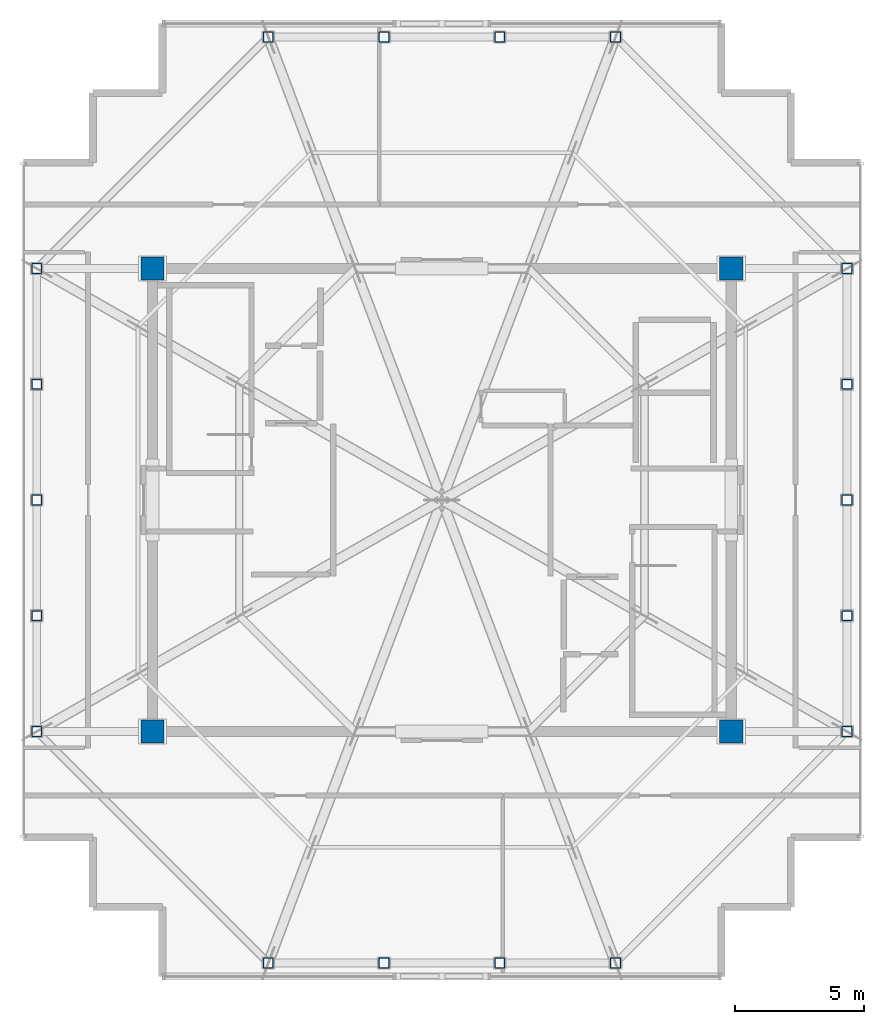
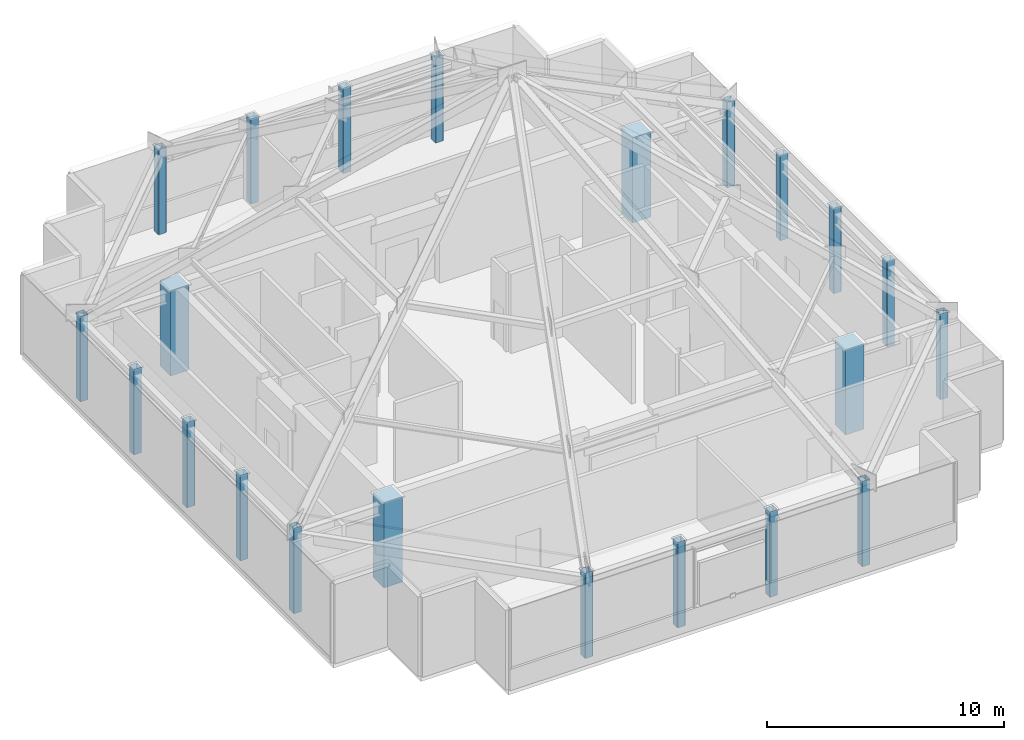
# One storey, part 1 of 17: 22 columns.
"""IFC4 building model written with IfcOpenShell, lengths in metres."""

from ifc_helpers import new_model, si_unit, direction, frame, origin, origin_2d, place, context, subcontext, project, spatial, rectangle, hollow_rectangle, extrude, source, transform, mapped, material, material_profile, profile_set, type_object, element, save


model = new_model("IFC4")

# Units and contexts
model_context = context("Model", 3, precision=1e-05, world=origin(), true_north=direction((0.0, 1.0)))
body_context = subcontext(model_context, "Body", "Model", "MODEL_VIEW")
ifc_project = project(units=[si_unit("LENGTHUNIT", "METRE"), si_unit("AREAUNIT", "SQUARE_METRE"), si_unit("VOLUMEUNIT", "CUBIC_METRE"), si_unit("PLANEANGLEUNIT", "RADIAN"), si_unit("MASSUNIT", "GRAM", prefix="KILO")], contexts=[model_context])

# Site, building, storey
site_placement = place(None, origin())
site = spatial("IfcSite", under=ifc_project, at=site_placement, CompositionType="ELEMENT")
building_placement = place(site_placement, origin())
building = spatial("IfcBuilding", under=site, at=building_placement, Name="Nefas-Gora Pilgrimage Tower", CompositionType="ELEMENT")
storey_placement = place(building_placement, frame((0.0, 0.0, 367.39990234375)))
storey = spatial("IfcBuildingStorey", under=building, at=storey_placement, Name="L92", CompositionType="ELEMENT", Elevation=367.39990234375)

# Columns
ifc_material_1 = material(Name="Steel S355", Category="steel")
ifc_material_profile_1 = material_profile(ifc_material_1, hollow_rectangle(XDim=0.39990234375, YDim=0.39990234375, WallThickness=0.02001953125, InnerFilletRadius=0.02001953125, OuterFilletRadius=0.0400390625, at=origin_2d()), Name="SHS 400x400x20")
ifc_profile_set_1 = profile_set([ifc_material_profile_1], Name="Steel S355")
column_type_1 = type_object("IfcColumnType", Name="COL-TUBE-400", PredefinedType="COLUMN", material=ifc_profile_set_1)
shared_shape_1 = source(origin(), body_context, "Body", "SweptSolid", [
    extrude(hollow_rectangle(XDim=0.39990234375, YDim=0.39990234375, WallThickness=0.02001953125, InnerFilletRadius=0.02001953125, OuterFilletRadius=0.0400390625, at=origin_2d()), origin(), (0.0, 0.0, 1.0), 4.400146484375),
])
for number, where, z_axis, x_axis, name in (
    (1, (-15.75, -9.0, 0.0), (0.0, 0.0, 1.0), (1.0, 0.0, 0.0), "L92 Tower Column C-Z5.1"),
    (2, (-15.75, -4.5, 0.0), (0.0, 0.0, 1.0), (1.0, 0.0, 0.0), "L92 Tower Column C-Z5.2"),
    (3, (-15.75, 0.0, 0.0), (0.0, 0.0, 1.0), (1.0, 0.0, 0.0), "L92 Tower Column C-Z5.3"),
    (4, (-15.75, 4.5, 0.0), (0.0, 0.0, 1.0), (1.0, 0.0, 0.0), "L92 Tower Column C-Z5.4"),
    (5, (-15.75, 9.0, 0.0), (0.0, 0.0, 1.0), (1.0, 0.0, 0.0), "L92 Tower Column C-Z5.5"),
    (6, (-6.75, -18.0, 0.0), (0.0, 0.0, 1.0), (1.0, 0.0, 0.0), "L92 Tower Column C-Z5.8"),
    (7, (-6.75, 18.0, 0.0), (0.0, 0.0, 1.0), (1.0, 0.0, 0.0), "L92 Tower Column C-Z5.9"),
    (8, (-2.25, -18.0, 0.0), (0.0, 0.0, 1.0), (1.0, 0.0, 0.0), "L92 Tower Column C-Z5.10"),
    (9, (-2.25, 18.0, 0.0), (0.0, 0.0, 1.0), (1.0, 0.0, 0.0), "L92 Tower Column C-Z5.11"),
    (10, (2.25, -18.0, 0.0), (0.0, 0.0, 1.0), (1.0, 0.0, 0.0), "L92 Tower Column C-Z5.12"),
    (11, (2.25, 18.0, 0.0), (0.0, 0.0, 1.0), (1.0, 0.0, 0.0), "L92 Tower Column C-Z5.13"),
    (12, (6.75, -18.0, 0.0), (0.0, 0.0, 1.0), (1.0, 0.0, 0.0), "L92 Tower Column C-Z5.14"),
    (13, (6.75, 18.0, 0.0), (0.0, 0.0, 1.0), (1.0, 0.0, 0.0), "L92 Tower Column C-Z5.15"),
    (14, (15.75, -9.0, 0.0), (0.0, 0.0, 1.0), (1.0, 0.0, 0.0), "L92 Tower Column C-Z5.18"),
    (15, (15.75, -4.5, 0.0), (0.0, 0.0, 1.0), (1.0, 0.0, 0.0), "L92 Tower Column C-Z5.19"),
    (16, (15.75, 0.0, 0.0), (0.0, 0.0, 1.0), (1.0, 0.0, 0.0), "L92 Tower Column C-Z5.20"),
    (17, (15.75, 4.5, 0.0), (0.0, 0.0, 1.0), (1.0, 0.0, 0.0), "L92 Tower Column C-Z5.21"),
    (18, (15.75, 9.0, 0.0), (0.0, 0.0, 1.0), (1.0, 0.0, 0.0), "L92 Tower Column C-Z5.22"),
):
    element("IfcColumn", number, at=place(storey_placement, frame(where, z_axis=z_axis, x_axis=x_axis)), inside=storey, type_object=column_type_1, Name=name, PredefinedType="COLUMN", context=body_context, shape_type="MappedRepresentation", body=[
        mapped(shared_shape_1, transform((0.0, 0.0, 0.0), x_axis=(1.0, 0.0, 0.0), y_axis=(0.0, 1.0, 0.0), z_axis=(0.0, 0.0, 1.0), scale=1.0)),
    ])
ifc_material_2 = material(Name="Concrete C50/60", Category="concrete")
ifc_material_profile_2 = material_profile(ifc_material_2, rectangle(XDim=0.89990234375, YDim=0.89990234375, at=origin_2d()), Name="RC 900x900")
ifc_profile_set_2 = profile_set([ifc_material_profile_2], Name="Concrete C50/60")
column_type_2 = type_object("IfcColumnType", Name="COL-RC-900", PredefinedType="COLUMN", material=ifc_profile_set_2)
shared_shape_2 = source(origin(), body_context, "Body", "SweptSolid", [
    extrude(rectangle(XDim=0.89990234375, YDim=0.89990234375, at=origin_2d()), origin(), (0.0, 0.0, 1.0), 4.400146484375),
])
for number, where, z_axis, x_axis, name in (
    (19, (-11.25, -9.0, 0.0), (0.0, 0.0, 1.0), (1.0, 0.0, 0.0), "L92 Tower Column CRC-02.6"),
    (20, (-11.25, 9.0, 0.0), (0.0, 0.0, 1.0), (1.0, 0.0, 0.0), "L92 Tower Column CRC-02.7"),
    (21, (11.25, -9.0, 0.0), (0.0, 0.0, 1.0), (1.0, 0.0, 0.0), "L92 Tower Column CRC-02.16"),
    (22, (11.25, 9.0, 0.0), (0.0, 0.0, 1.0), (1.0, 0.0, 0.0), "L92 Tower Column CRC-02.17"),
):
    element("IfcColumn", number, at=place(storey_placement, frame(where, z_axis=z_axis, x_axis=x_axis)), inside=storey, type_object=column_type_2, Name=name, PredefinedType="COLUMN", context=body_context, shape_type="MappedRepresentation", body=[
        mapped(shared_shape_2, transform((0.0, 0.0, 0.0), x_axis=(1.0, 0.0, 0.0), y_axis=(0.0, 1.0, 0.0), z_axis=(0.0, 0.0, 1.0), scale=1.0)),
    ])

save(model, "model.ifc")
